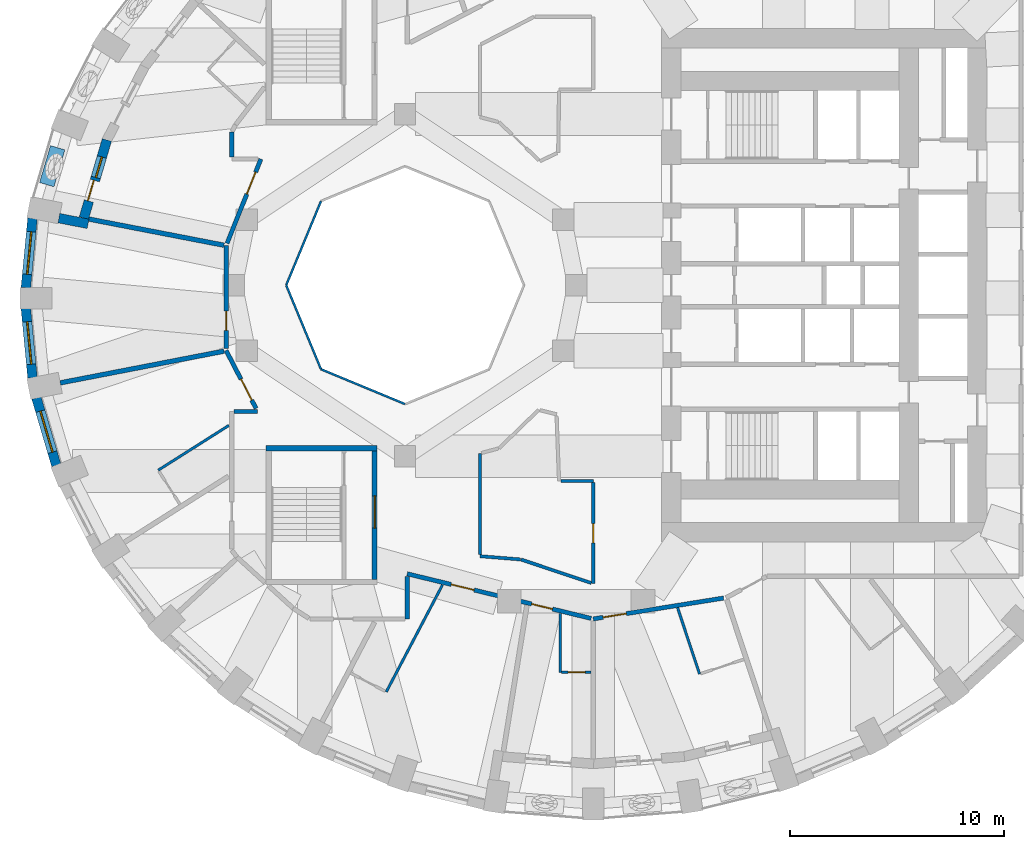
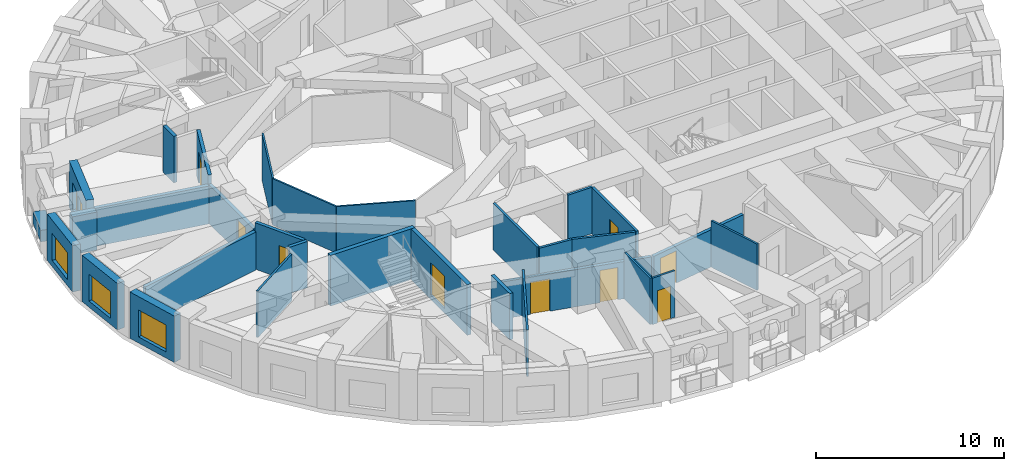
# One storey, part 4 of 13: 31 walls, 10 doors, 4 windows, 14 openings.
"""IFC4 building model written with IfcOpenShell, lengths in metres."""

from ifc_helpers import new_model, si_unit, direction, frame, frame_2d, origin, place, context, subcontext, project, spatial, rectangle, extrude, material, layer, layer_set, constituent, constituent_set, type_object, element, fill, save


model = new_model("IFC4")

# Units and contexts
model_context = context("Model", 3, precision=1e-05, world=origin(), true_north=direction((0.0, 1.0)))
body_context = subcontext(model_context, "Body", "Model", "MODEL_VIEW")
ifc_project = project(units=[si_unit("LENGTHUNIT", "METRE"), si_unit("AREAUNIT", "SQUARE_METRE"), si_unit("VOLUMEUNIT", "CUBIC_METRE"), si_unit("PLANEANGLEUNIT", "RADIAN"), si_unit("MASSUNIT", "GRAM", prefix="KILO")], contexts=[model_context])

# Site, building, storey
site_placement = place(None, origin())
site = spatial("IfcSite", under=ifc_project, at=site_placement, CompositionType="ELEMENT")
building_placement = place(site_placement, origin())
building = spatial("IfcBuilding", under=site, at=building_placement, Name="Taillehof Tower", CompositionType="ELEMENT")
storey_placement = place(building_placement, frame((0.0, 0.0, 112.0)))
storey = spatial("IfcBuildingStorey", under=building, at=storey_placement, Name="L31", CompositionType="ELEMENT", Elevation=112.0)

# Walls
ifc_material_1 = material(Name="Fire-resisting glass in steel frame", Category="steel")
ifc_layer_1 = layer(ifc_material_1, 0.10009765625)
ifc_layer_set_1 = layer_set([ifc_layer_1], Name="Atrium fire-resisting screen EI 60 100")
wall_type_1 = type_object("IfcWallType", Name="Atrium fire-resisting screen EI 60 100", PredefinedType="PARTITIONING", material=ifc_layer_set_1)
for number, where, z_axis, x_axis, name in (
    (1, (-8.0, -5.55419921875, 0.0), (0.0, 0.0, 1.0), (-0.923860025149, 0.382730523909, 0.0), "Atrium screen"),
    (2, (-11.92724609375, -3.92724609375, 0.0), (0.0, 0.0, 1.0), (-0.382730523909, 0.923860025149, 0.0), "Atrium screen"),
    (3, (-13.55419921875, 0.0, 0.0), (0.0, 0.0, 1.0), (0.382730523909, 0.923860025149, 0.0), "Atrium screen"),
):
    element("IfcWall", number, at=place(storey_placement, frame(where, z_axis=z_axis, x_axis=x_axis)), inside=storey, type_object=wall_type_1, Name=name, PredefinedType="PARTITIONING", context=body_context, shape_type="SweptSolid", body=[
        extrude(rectangle(XDim=4.2509765625, YDim=0.10009765625, at=frame_2d((2.12548828125, 0.0))), origin(), (0.0, 0.0, 1.0), 3.02001953125),
    ])

# Wall, opening, window
ifc_material_2 = material(Name="Brick masonry", Category="masonry")
ifc_layer_2 = layer(ifc_material_2, 0.449951171875)
ifc_layer_set_2 = layer_set([ifc_layer_2], Name="Brick infill wall 450")
wall_type_2 = type_object("IfcWallType", Name="Brick infill wall 450", PredefinedType="SOLIDWALL", material=ifc_layer_set_2)
wall_1_placement = place(storey_placement, frame((-25.414794921875, 3.12646484375, 0.0), z_axis=(0.0, 0.0, 1.0), x_axis=(-0.095967726544, -0.995384446062, 0.0)))
wall_1 = element("IfcWall", 4, at=wall_1_placement, inside=storey, type_object=wall_type_2, Name="Brick wall L31 bay 18", PredefinedType="SOLIDWALL", context=body_context, shape_type="SweptSolid", body=[
    extrude(rectangle(XDim=3.261474609375, YDim=0.449951171875, at=frame_2d((1.630859375, 0.0))), origin(), (0.0, 0.0, 1.0), 3.02001953125),
])
opening_1_placement = place(wall_1_placement, frame((0.630615234375, 0.0, 0.39990234375)))
opening_1 = element("IfcOpeningElement", 5, at=opening_1_placement, cuts=wall_1, Name="Opening W2", PredefinedType="OPENING", context=body_context, shape_type="SweptSolid", body=[
    extrude(rectangle(XDim=2.0, YDim=1.75, at=frame_2d((1.0, 0.875))), frame((0.0, 0.23486328125, 0.0), z_axis=(0.0, -1.0, 0.0), x_axis=(1.0, 0.0, 0.0)), (0.0, 0.0, 1.0), 0.469970703125),
])
ifc_material_3 = material(Name="Aluminium window frame with clear double glazing", Category="aluminium")
window_type_1 = type_object("IfcWindowType", Name="Deep-set window 2000x1750", PartitioningType="SINGLE_PANEL", PredefinedType="WINDOW", material=ifc_material_3)
window_1_placement = place(opening_1_placement, origin())
window_1 = element("IfcWindow", 6, at=window_1_placement, inside=storey, type_object=window_type_1, Name="W2", OverallHeight=1.75, OverallWidth=2.0, PartitioningType="SINGLE_PANEL", PredefinedType="WINDOW", context=body_context, shape_type="SweptSolid", body=[
    extrude(rectangle(XDim=2.0, YDim=1.75, at=frame_2d((1.0, 0.875))), frame((0.0, 0.034912109375, 0.0), z_axis=(0.0, -1.0, 0.0), x_axis=(1.0, 0.0, 0.0)), (0.0, 0.0, 1.0), 0.06005859375),
])
fill(opening_1, window_1)

wall_2_placement = place(storey_placement, frame((-25.727783203125, -1.080078125, 0.0), z_axis=(0.0, 0.0, 1.0), x_axis=(0.095967726544, -0.995384446062, 0.0)))
wall_2 = element("IfcWall", 7, at=wall_2_placement, inside=storey, type_object=wall_type_2, Name="Brick wall L31 bay 19", PredefinedType="SOLIDWALL", context=body_context, shape_type="SweptSolid", body=[
    extrude(rectangle(XDim=3.261474609375, YDim=0.449951171875, at=frame_2d((1.630859375, 0.0))), origin(), (0.0, 0.0, 1.0), 3.02001953125),
])
opening_2_placement = place(wall_2_placement, frame((0.630615234375, 0.0, 0.39990234375)))
opening_2 = element("IfcOpeningElement", 8, at=opening_2_placement, cuts=wall_2, Name="Opening W2", PredefinedType="OPENING", context=body_context, shape_type="SweptSolid", body=[
    extrude(rectangle(XDim=2.0, YDim=1.75, at=frame_2d((1.0, 0.875))), frame((0.0, 0.23486328125, 0.0), z_axis=(0.0, -1.0, 0.0), x_axis=(1.0, 0.0, 0.0)), (0.0, 0.0, 1.0), 0.469970703125),
])
window_2_placement = place(opening_2_placement, origin())
window_2 = element("IfcWindow", 9, at=window_2_placement, inside=storey, type_object=window_type_1, Name="W2", OverallHeight=1.75, OverallWidth=2.0, PartitioningType="SINGLE_PANEL", PredefinedType="WINDOW", context=body_context, shape_type="SweptSolid", body=[
    extrude(rectangle(XDim=2.0, YDim=1.75, at=frame_2d((1.0, 0.875))), frame((0.0, 0.034912109375, 0.0), z_axis=(0.0, -1.0, 0.0), x_axis=(1.0, 0.0, 0.0)), (0.0, 0.0, 1.0), 0.06005859375),
])
fill(opening_2, window_2)

wall_3_placement = place(storey_placement, frame((-25.232177734375, -5.26904296875, 0.0), z_axis=(0.0, 0.0, 1.0), x_axis=(0.283051078697, -0.959104836214, 0.0)))
wall_3 = element("IfcWall", 10, at=wall_3_placement, inside=storey, type_object=wall_type_2, Name="Brick wall L31 bay 20", PredefinedType="SOLIDWALL", context=body_context, shape_type="SweptSolid", body=[
    extrude(rectangle(XDim=3.2861328125, YDim=0.449951171875, at=frame_2d((1.64306640625, 0.0))), origin(), (0.0, 0.0, 1.0), 3.02001953125),
])
opening_3_placement = place(wall_3_placement, frame((0.64306640625, 0.0, 0.39990234375)))
opening_3 = element("IfcOpeningElement", 11, at=opening_3_placement, cuts=wall_3, Name="Opening W2", PredefinedType="OPENING", context=body_context, shape_type="SweptSolid", body=[
    extrude(rectangle(XDim=2.0, YDim=1.75, at=frame_2d((1.0, 0.875))), frame((0.0, 0.23486328125, 0.0), z_axis=(0.0, -1.0, 0.0), x_axis=(1.0, 0.0, 0.0)), (0.0, 0.0, 1.0), 0.469970703125),
])
window_3_placement = place(opening_3_placement, origin())
window_3 = element("IfcWindow", 12, at=window_3_placement, inside=storey, type_object=window_type_1, Name="W2", OverallHeight=1.75, OverallWidth=2.0, PartitioningType="SINGLE_PANEL", PredefinedType="WINDOW", context=body_context, shape_type="SweptSolid", body=[
    extrude(rectangle(XDim=2.0, YDim=1.75, at=frame_2d((1.0, 0.875))), frame((0.0, 0.034912109375, 0.0), z_axis=(0.0, -1.0, 0.0), x_axis=(1.0, 0.0, 0.0)), (0.0, 0.0, 1.0), 0.06005859375),
])
fill(opening_3, window_3)

# Wall
wall_4_placement = place(storey_placement, frame((-24.1826171875, 3.134765625, 0.0), z_axis=(0.0, 0.0, 1.0), x_axis=(0.981744955624, -0.190202108576, 0.0)))
element("IfcWall", 13, at=wall_4_placement, inside=storey, type_object=wall_type_2, Name="Brick reveal L31 pocket 4", PredefinedType="SOLIDWALL", context=body_context, shape_type="SweptSolid", body=[
    extrude(rectangle(XDim=1.39013671875, YDim=0.449951171875, at=frame_2d((0.695068359375, 0.0))), origin(), (0.0, 0.0, 1.0), 2.469970703125),
])

# Wall, openings, door, window
wall_5_placement = place(storey_placement, frame((-21.939453125, 6.790771484375, 0.0), z_axis=(0.0, 0.0, 1.0), x_axis=(-0.282350284167, -0.959311376473, 0.0)))
wall_5 = element("IfcWall", 14, at=wall_5_placement, inside=storey, type_object=wall_type_2, Name="Brick wall L31 pocket bay 17", PredefinedType="SOLIDWALL", context=body_context, shape_type="SweptSolid", body=[
    extrude(rectangle(XDim=3.80810546875, YDim=0.449951171875, at=frame_2d((1.904052734375, 0.0))), origin(), (0.0, 0.0, 1.0), 3.02001953125),
])
opening_4_placement = place(wall_5_placement, frame((0.8291015625, 0.0, 0.39990234375)))
opening_4 = element("IfcOpeningElement", 15, at=opening_4_placement, cuts=wall_5, Name="Opening W5", PredefinedType="OPENING", context=body_context, shape_type="SweptSolid", body=[
    extrude(rectangle(XDim=1.0, YDim=1.75, at=frame_2d((0.5, 0.875))), frame((0.0, 0.23486328125, 0.0), z_axis=(0.0, -1.0, 0.0), x_axis=(1.0, 0.0, 0.0)), (0.0, 0.0, 1.0), 0.469970703125),
])
opening_5_placement = place(wall_5_placement, frame((1.97900390625, 0.0, 0.0)))
opening_5 = element("IfcOpeningElement", 16, at=opening_5_placement, cuts=wall_5, Name="Opening D3193", PredefinedType="OPENING", context=body_context, shape_type="SweptSolid", body=[
    extrude(rectangle(XDim=1.0, YDim=2.14990234375, at=frame_2d((0.5, 1.074951171875))), frame((0.0, 0.23486328125, 0.0), z_axis=(0.0, -1.0, 0.0), x_axis=(1.0, 0.0, 0.0)), (0.0, 0.0, 1.0), 0.469970703125),
])
ifc_material_4 = material(Name="Aluminium door frame with clear double glazing", Category="aluminium")
door_type_1 = type_object("IfcDoorType", Name="Balcony door 1000x2150", OperationType="SINGLE_SWING_RIGHT", PredefinedType="DOOR", material=ifc_material_4)
door_1_placement = place(opening_5_placement, frame((1.0, 0.0, 0.0), z_axis=(0.0, 0.0, 1.0), x_axis=(-1.0, 0.0, 0.0)))
door_1 = element("IfcDoor", 17, at=door_1_placement, inside=storey, type_object=door_type_1, Name="Balcony door L31 bay 17", OperationType="SINGLE_SWING_LEFT", OverallHeight=2.14990234375, OverallWidth=1.0, PredefinedType="DOOR", context=body_context, shape_type="SweptSolid", body=[
    extrude(rectangle(XDim=1.0, YDim=2.14990234375, at=frame_2d((0.5, 1.074951171875))), frame((0.0, 0.0751953125, 0.0), z_axis=(0.0, -1.0, 0.0), x_axis=(1.0, 0.0, 0.0)), (0.0, 0.0, 1.0), 0.050048828125),
])
fill(opening_5, door_1)
ifc_material_5 = material(Name="Aluminium window frame with clear double glazing", Category="aluminium")
window_type_2 = type_object("IfcWindowType", Name="Fixed window 1000x1750", PartitioningType="SINGLE_PANEL", PredefinedType="WINDOW", material=ifc_material_5)
window_4_placement = place(opening_4_placement, origin())
window_4 = element("IfcWindow", 18, at=window_4_placement, inside=storey, type_object=window_type_2, Name="W5", OverallHeight=1.75, OverallWidth=1.0, PartitioningType="SINGLE_PANEL", PredefinedType="WINDOW", context=body_context, shape_type="SweptSolid", body=[
    extrude(rectangle(XDim=1.0, YDim=1.75, at=frame_2d((0.5, 0.875))), frame((0.0, 0.034912109375, 0.0), z_axis=(0.0, -1.0, 0.0), x_axis=(1.0, 0.0, 0.0)), (0.0, 0.0, 1.0), 0.06005859375),
])
fill(opening_4, window_4)

# Wall
ifc_material_6 = material(Name="Gypsum board on steel studs, two layers each side", Category="steel")
ifc_layer_3 = layer(ifc_material_6, 0.199951171875)
ifc_layer_set_3 = layer_set([ifc_layer_3], Name="Compartment wall corridor 200")
wall_type_3 = type_object("IfcWallType", Name="Compartment wall corridor 200", PredefinedType="PARTITIONING", material=ifc_layer_set_3)
wall_6_placement = place(storey_placement, frame((-16.0, -5.89990234375, 0.0), z_axis=(0.0, 0.0, 1.0), x_axis=(1.0, 0.0, 0.0)))
element("IfcWall", 19, at=wall_6_placement, inside=storey, type_object=wall_type_3, Name="Compartment wall", PredefinedType="PARTITIONING", context=body_context, shape_type="SweptSolid", body=[
    extrude(rectangle(XDim=1.1083984375, YDim=0.199951171875, at=frame_2d((0.55419921875, 0.0))), origin(), (0.0, 0.0, 1.0), 3.02001953125),
])

# Wall, opening, door
wall_7_placement = place(storey_placement, frame((-14.9658203125, -5.75732421875, 0.0), z_axis=(0.0, 0.0, 1.0), x_axis=(-0.458904116107, 0.888485797422, 0.0)))
wall_7 = element("IfcWall", 20, at=wall_7_placement, inside=storey, type_object=wall_type_3, Name="Compartment wall", PredefinedType="PARTITIONING", context=body_context, shape_type="SweptSolid", body=[
    extrude(rectangle(XDim=3.04736328125, YDim=0.199951171875, at=frame_2d((1.523681640625, 0.0))), origin(), (0.0, 0.0, 1.0), 3.02001953125),
])
opening_6_placement = place(wall_7_placement, frame((0.43505859375, 0.0, 0.0)))
opening_6 = element("IfcOpeningElement", 21, at=opening_6_placement, cuts=wall_7, Name="Opening D3152", PredefinedType="OPENING", context=body_context, shape_type="SweptSolid", body=[
    extrude(rectangle(XDim=1.10009765625, YDim=2.10009765625, at=frame_2d((0.550048828125, 1.050048828125))), frame((0.0, 0.10986328125, 0.0), z_axis=(0.0, -1.0, 0.0), x_axis=(1.0, 0.0, 0.0)), (0.0, 0.0, 1.0), 0.219970703125),
])
ifc_material_7 = material(Name="Timber door leaf in steel frame", Category="steel")
door_type_2 = type_object("IfcDoorType", Name="Suite entrance door EI 30 1100 x 2100", OperationType="SINGLE_SWING_LEFT", PredefinedType="DOOR", material=ifc_material_7)
door_2_placement = place(opening_6_placement, origin())
door_2 = element("IfcDoor", 22, at=door_2_placement, inside=storey, type_object=door_type_2, Name="D3152", OperationType="SINGLE_SWING_LEFT", OverallHeight=2.10009765625, OverallWidth=1.10009765625, PredefinedType="DOOR", context=body_context, shape_type="SweptSolid", body=[
    extrude(rectangle(XDim=1.10009765625, YDim=2.10009765625, at=frame_2d((0.550048828125, 1.050048828125))), frame((0.0, 0.02490234375, 0.0), z_axis=(0.0, -1.0, 0.0), x_axis=(1.0, 0.0, 0.0)), (0.0, 0.0, 1.0), 0.050048828125),
])
fill(opening_6, door_2)

wall_8_placement = place(storey_placement, frame((-16.3642578125, -2.94970703125, 0.0), z_axis=(0.0, 0.0, 1.0), x_axis=(0.0, 1.0, 0.0)))
wall_8 = element("IfcWall", 23, at=wall_8_placement, inside=storey, type_object=wall_type_3, Name="Compartment wall", PredefinedType="PARTITIONING", context=body_context, shape_type="SweptSolid", body=[
    extrude(rectangle(XDim=4.79931640625, YDim=0.199951171875, at=frame_2d((2.399658203125, 0.0))), origin(), (0.0, 0.0, 1.0), 2.52001953125),
])
opening_7_placement = place(wall_8_placement, frame((0.8349609375, 0.0, 0.0)))
opening_7 = element("IfcOpeningElement", 24, at=opening_7_placement, cuts=wall_8, Name="Opening D3151", PredefinedType="OPENING", context=body_context, shape_type="SweptSolid", body=[
    extrude(rectangle(XDim=0.89990234375, YDim=2.10009765625, at=frame_2d((0.449951171875, 1.050048828125))), frame((0.0, 0.10986328125, 0.0), z_axis=(0.0, -1.0, 0.0), x_axis=(1.0, 0.0, 0.0)), (0.0, 0.0, 1.0), 0.219970703125),
])
ifc_material_8 = material(Name="Timber door leaf in steel frame", Category="steel")
door_type_3 = type_object("IfcDoorType", Name="Service room door EI 30 900 x 2100", OperationType="SINGLE_SWING_LEFT", PredefinedType="DOOR", material=ifc_material_8)
door_3_placement = place(opening_7_placement, origin())
door_3 = element("IfcDoor", 25, at=door_3_placement, inside=storey, type_object=door_type_3, Name="D3151", OperationType="SINGLE_SWING_LEFT", OverallHeight=2.10009765625, OverallWidth=0.89990234375, PredefinedType="DOOR", context=body_context, shape_type="SweptSolid", body=[
    extrude(rectangle(XDim=0.89990234375, YDim=2.10009765625, at=frame_2d((0.449951171875, 1.050048828125))), frame((0.0, 0.02490234375, 0.0), z_axis=(0.0, -1.0, 0.0), x_axis=(1.0, 0.0, 0.0)), (0.0, 0.0, 1.0), 0.050048828125),
])
fill(opening_7, door_3)

wall_9_placement = place(storey_placement, frame((-16.31884765625, 1.9609375, 0.0), z_axis=(0.0, 0.0, 1.0), x_axis=(0.372352515432, 0.928091377102, 0.0)))
wall_9 = element("IfcWall", 26, at=wall_9_placement, inside=storey, type_object=wall_type_3, Name="Compartment wall", PredefinedType="PARTITIONING", context=body_context, shape_type="SweptSolid", body=[
    extrude(rectangle(XDim=4.244140625, YDim=0.199951171875, at=frame_2d((2.1220703125, 0.0))), origin(), (0.0, 0.0, 1.0), 3.02001953125),
])
opening_8_placement = place(wall_9_placement, frame((2.480712890625, 0.0, 0.0)))
opening_8 = element("IfcOpeningElement", 27, at=opening_8_placement, cuts=wall_9, Name="Opening D3149", PredefinedType="OPENING", context=body_context, shape_type="SweptSolid", body=[
    extrude(rectangle(XDim=1.10009765625, YDim=2.10009765625, at=frame_2d((0.550048828125, 1.050048828125))), frame((0.0, 0.10986328125, 0.0), z_axis=(0.0, -1.0, 0.0), x_axis=(1.0, 0.0, 0.0)), (0.0, 0.0, 1.0), 0.219970703125),
])
door_4_placement = place(opening_8_placement, origin())
door_4 = element("IfcDoor", 28, at=door_4_placement, inside=storey, type_object=door_type_2, Name="D3149", OperationType="SINGLE_SWING_RIGHT", OverallHeight=2.10009765625, OverallWidth=1.10009765625, PredefinedType="DOOR", context=body_context, shape_type="SweptSolid", body=[
    extrude(rectangle(XDim=1.10009765625, YDim=2.10009765625, at=frame_2d((0.550048828125, 1.050048828125))), frame((0.0, 0.02490234375, 0.0), z_axis=(0.0, -1.0, 0.0), x_axis=(1.0, 0.0, 0.0)), (0.0, 0.0, 1.0), 0.050048828125),
])
fill(opening_8, door_4)

# Wall
wall_10_placement = place(storey_placement, frame((-16.10009765625, 6.0, 0.0), z_axis=(0.0, 0.0, 1.0), x_axis=(0.0, 1.0, 0.0)))
element("IfcWall", 29, at=wall_10_placement, inside=storey, type_object=wall_type_3, Name="Compartment wall", PredefinedType="PARTITIONING", context=body_context, shape_type="SweptSolid", body=[
    extrude(rectangle(XDim=1.159912109375, YDim=0.199951171875, at=frame_2d((0.580078125, 0.0))), origin(), (0.0, 0.0, 1.0), 3.02001953125),
])

# Wall, opening, door
wall_11_placement = place(storey_placement, frame((6.890625, -14.624755859375, 0.0), z_axis=(0.0, 0.0, 1.0), x_axis=(-0.987419134366, -0.158124802253, 0.0)))
wall_11 = element("IfcWall", 30, at=wall_11_placement, inside=storey, type_object=wall_type_3, Name="Compartment wall", PredefinedType="PARTITIONING", context=body_context, shape_type="SweptSolid", body=[
    extrude(rectangle(XDim=6.168212890625, YDim=0.199951171875, at=frame_2d((3.083984375, 0.0))), origin(), (0.0, 0.0, 1.0), 2.419921875),
])
opening_9_placement = place(wall_11_placement, frame((4.60400390625, 0.0, 0.0)))
opening_9 = element("IfcOpeningElement", 31, at=opening_9_placement, cuts=wall_11, Name="Opening D3160", PredefinedType="OPENING", context=body_context, shape_type="SweptSolid", body=[
    extrude(rectangle(XDim=1.10009765625, YDim=2.10009765625, at=frame_2d((0.550048828125, 1.050048828125))), frame((0.0, 0.10986328125, 0.0), z_axis=(0.0, -1.0, 0.0), x_axis=(1.0, 0.0, 0.0)), (0.0, 0.0, 1.0), 0.219970703125),
])
ifc_material_9 = material(Name="Timber door leaf in steel frame", Category="steel")
door_type_4 = type_object("IfcDoorType", Name="Accessible guest room door EI 30 1100 x 2100", OperationType="SINGLE_SWING_LEFT", PredefinedType="DOOR", material=ifc_material_9)
door_5_placement = place(opening_9_placement, origin())
door_5 = element("IfcDoor", 32, at=door_5_placement, inside=storey, type_object=door_type_4, Name="D3160", OperationType="SINGLE_SWING_RIGHT", OverallHeight=2.10009765625, OverallWidth=1.10009765625, PredefinedType="DOOR", context=body_context, shape_type="SweptSolid", body=[
    extrude(rectangle(XDim=1.10009765625, YDim=2.10009765625, at=frame_2d((0.550048828125, 1.050048828125))), frame((0.0, 0.02490234375, 0.0), z_axis=(0.0, -1.0, 0.0), x_axis=(1.0, 0.0, 0.0)), (0.0, 0.0, 1.0), 0.050048828125),
])
fill(opening_9, door_5)

# Wall, openings, doors
wall_12_placement = place(storey_placement, frame((0.702392578125, -15.576904296875, 0.0), z_axis=(0.0, 0.0, 1.0), x_axis=(-0.971804733873, 0.235787105715, 0.0)))
wall_12 = element("IfcWall", 33, at=wall_12_placement, inside=storey, type_object=wall_type_3, Name="Compartment wall", PredefinedType="PARTITIONING", context=body_context, shape_type="SweptSolid", body=[
    extrude(rectangle(XDim=8.851806640625, YDim=0.199951171875, at=frame_2d((4.42578125, 0.0))), origin(), (0.0, 0.0, 1.0), 2.419921875),
])
opening_10_placement = place(wall_12_placement, frame((5.631103515625, 0.0, 0.0)))
opening_10 = element("IfcOpeningElement", 34, at=opening_10_placement, cuts=wall_12, Name="Opening D3156", PredefinedType="OPENING", context=body_context, shape_type="SweptSolid", body=[
    extrude(rectangle(XDim=1.10009765625, YDim=2.10009765625, at=frame_2d((0.550048828125, 1.050048828125))), frame((0.0, 0.10986328125, 0.0), z_axis=(0.0, -1.0, 0.0), x_axis=(1.0, 0.0, 0.0)), (0.0, 0.0, 1.0), 0.219970703125),
])
opening_11_placement = place(wall_12_placement, frame((1.86328125, 0.0, 0.0)))
opening_11 = element("IfcOpeningElement", 35, at=opening_11_placement, cuts=wall_12, Name="Opening D3158", PredefinedType="OPENING", context=body_context, shape_type="SweptSolid", body=[
    extrude(rectangle(XDim=1.0, YDim=2.10009765625, at=frame_2d((0.5, 1.050048828125))), frame((0.0, 0.10986328125, 0.0), z_axis=(0.0, -1.0, 0.0), x_axis=(1.0, 0.0, 0.0)), (0.0, 0.0, 1.0), 0.219970703125),
])
ifc_material_10 = material(Name="Timber door leaf in steel frame", Category="steel")
door_type_5 = type_object("IfcDoorType", Name="Guest room door EI 30 1000 x 2100", OperationType="SINGLE_SWING_LEFT", PredefinedType="DOOR", material=ifc_material_10)
door_6_placement = place(opening_11_placement, origin())
door_6 = element("IfcDoor", 36, at=door_6_placement, inside=storey, type_object=door_type_5, Name="D3158", OperationType="SINGLE_SWING_RIGHT", OverallHeight=2.10009765625, OverallWidth=1.0, PredefinedType="DOOR", context=body_context, shape_type="SweptSolid", body=[
    extrude(rectangle(XDim=1.0, YDim=2.10009765625, at=frame_2d((0.5, 1.050048828125))), frame((0.0, 0.02490234375, 0.0), z_axis=(0.0, -1.0, 0.0), x_axis=(1.0, 0.0, 0.0)), (0.0, 0.0, 1.0), 0.050048828125),
])
fill(opening_11, door_6)
door_7_placement = place(opening_10_placement, origin())
door_7 = element("IfcDoor", 37, at=door_7_placement, inside=storey, type_object=door_type_2, Name="D3156", OperationType="SINGLE_SWING_RIGHT", OverallHeight=2.10009765625, OverallWidth=1.10009765625, PredefinedType="DOOR", context=body_context, shape_type="SweptSolid", body=[
    extrude(rectangle(XDim=1.10009765625, YDim=2.10009765625, at=frame_2d((0.550048828125, 1.050048828125))), frame((0.0, 0.02490234375, 0.0), z_axis=(0.0, -1.0, 0.0), x_axis=(1.0, 0.0, 0.0)), (0.0, 0.0, 1.0), 0.050048828125),
])
fill(opening_10, door_7)

# Walls
wall_13_placement = place(storey_placement, frame((-7.89990234375, -13.60986328125, 0.0), z_axis=(0.0, 0.0, 1.0), x_axis=(0.0, -1.0, 0.0)))
element("IfcWall", 38, at=wall_13_placement, inside=storey, type_object=wall_type_3, Name="Compartment wall", PredefinedType="PARTITIONING", context=body_context, shape_type="SweptSolid", body=[
    extrude(rectangle(XDim=1.990234375, YDim=0.199951171875, at=frame_2d((0.9951171875, 0.0))), origin(), (0.0, 0.0, 1.0), 3.02001953125),
])
ifc_material_11 = material(Name="Gypsum board on double steel studs with mineral wool", Category="steel")
ifc_layer_4 = layer(ifc_material_11, 0.219970703125)
ifc_layer_set_4 = layer_set([ifc_layer_4], Name="Compartment wall guest room 220")
wall_type_4 = type_object("IfcWallType", Name="Compartment wall guest room 220", PredefinedType="PARTITIONING", material=ifc_layer_set_4)
wall_14_placement = place(storey_placement, frame((-22.792724609375, 3.0947265625, 0.0), z_axis=(0.0, 0.0, 1.0), x_axis=(0.981772102901, -0.190061931918, 0.0)))
element("IfcWall", 39, at=wall_14_placement, inside=storey, type_object=wall_type_4, Name="Compartment wall", PredefinedType="PARTITIONING", context=body_context, shape_type="SweptSolid", body=[
    extrude(rectangle(XDim=6.4482421875, YDim=0.219970703125, at=frame_2d((3.22412109375, 0.0))), origin(), (0.0, 0.0, 1.0), 2.469970703125),
])
wall_15_placement = place(storey_placement, frame((-24.117919921875, -4.564208984375, 0.0), z_axis=(0.0, 0.0, 1.0), x_axis=(0.981765151757, 0.190097834799, 0.0)))
element("IfcWall", 40, at=wall_15_placement, inside=storey, type_object=wall_type_4, Name="Compartment wall", PredefinedType="PARTITIONING", context=body_context, shape_type="SweptSolid", body=[
    extrude(rectangle(XDim=7.798095703125, YDim=0.219970703125, at=frame_2d((3.89892578125, 0.0))), origin(), (0.0, 0.0, 1.0), 2.469970703125),
])
ifc_material_12 = material(Name="Gypsum board on steel studs, two layers each side", Category="steel")
ifc_layer_5 = layer(ifc_material_12, 0.14990234375)
ifc_layer_set_5 = layer_set([ifc_layer_5], Name="Compartment wall service room 150")
wall_type_5 = type_object("IfcWallType", Name="Compartment wall service room 150", PredefinedType="PARTITIONING", material=ifc_layer_set_5)
wall_16_placement = place(storey_placement, frame((-0.719970703125, -9.14990234375, 0.0), z_axis=(0.0, 0.0, 1.0), x_axis=(1.0, 0.0, 0.0)))
element("IfcWall", 41, at=wall_16_placement, inside=storey, type_object=wall_type_5, Name="Compartment wall", PredefinedType="PARTITIONING", context=body_context, shape_type="SweptSolid", body=[
    extrude(rectangle(XDim=1.52001953125, YDim=0.14990234375, at=frame_2d((0.760009765625, 0.0))), origin(), (0.0, 0.0, 1.0), 3.02001953125),
])

# Wall, opening, door
wall_17_placement = place(storey_placement, frame((0.800048828125, -9.22998046875, 0.0), z_axis=(0.0, 0.0, 1.0), x_axis=(0.0, -1.0, 0.0)))
wall_17 = element("IfcWall", 42, at=wall_17_placement, inside=storey, type_object=wall_type_5, Name="Compartment wall", PredefinedType="PARTITIONING", context=body_context, shape_type="SweptSolid", body=[
    extrude(rectangle(XDim=4.7236328125, YDim=0.14990234375, at=frame_2d((2.36181640625, 0.0))), origin(), (0.0, 0.0, 1.0), 3.02001953125),
])
opening_12_placement = place(wall_17_placement, frame((1.911865234375, 0.0, 0.0)))
opening_12 = element("IfcOpeningElement", 43, at=opening_12_placement, cuts=wall_17, Name="Opening D3169", PredefinedType="OPENING", context=body_context, shape_type="SweptSolid", body=[
    extrude(rectangle(XDim=0.89990234375, YDim=2.10009765625, at=frame_2d((0.449951171875, 1.050048828125))), frame((0.0, 0.0849609375, 0.0), z_axis=(0.0, -1.0, 0.0), x_axis=(1.0, 0.0, 0.0)), (0.0, 0.0, 1.0), 0.169921875),
])
door_8_placement = place(opening_12_placement, origin())
door_8 = element("IfcDoor", 44, at=door_8_placement, inside=storey, type_object=door_type_3, Name="D3169", OperationType="SINGLE_SWING_LEFT", OverallHeight=2.10009765625, OverallWidth=0.89990234375, PredefinedType="DOOR", context=body_context, shape_type="SweptSolid", body=[
    extrude(rectangle(XDim=0.89990234375, YDim=2.10009765625, at=frame_2d((0.449951171875, 1.050048828125))), frame((0.0, 0.02490234375, 0.0), z_axis=(0.0, -1.0, 0.0), x_axis=(1.0, 0.0, 0.0)), (0.0, 0.0, 1.0), 0.050048828125),
])
fill(opening_12, door_8)

# Walls
wall_18_placement = place(storey_placement, frame((0.704833984375, -13.921875, 0.0), z_axis=(0.0, 0.0, 1.0), x_axis=(-0.948131483463, 0.317878420258, 0.0)))
element("IfcWall", 45, at=wall_18_placement, inside=storey, type_object=wall_type_5, Name="Compartment wall", PredefinedType="PARTITIONING", context=body_context, shape_type="SweptSolid", body=[
    extrude(rectangle(XDim=3.4599609375, YDim=0.14990234375, at=frame_2d((1.72998046875, 0.0))), origin(), (0.0, 0.0, 1.0), 3.02001953125),
])
wall_19_placement = place(storey_placement, frame((-2.595703125, -12.8203125, 0.0), z_axis=(0.0, 0.0, 1.0), x_axis=(-0.996815278536, 0.079745222283, 0.0)))
element("IfcWall", 46, at=wall_19_placement, inside=storey, type_object=wall_type_5, Name="Compartment wall", PredefinedType="PARTITIONING", context=body_context, shape_type="SweptSolid", body=[
    extrude(rectangle(XDim=1.910400390625, YDim=0.14990234375, at=frame_2d((0.955078125, 0.0))), origin(), (0.0, 0.0, 1.0), 3.02001953125),
])
wall_20_placement = place(storey_placement, frame((-4.5, -12.587890625, 0.0), z_axis=(0.0, 0.0, 1.0), x_axis=(0.0, 1.0, 0.0)))
element("IfcWall", 47, at=wall_20_placement, inside=storey, type_object=wall_type_5, Name="Compartment wall", PredefinedType="PARTITIONING", context=body_context, shape_type="SweptSolid", body=[
    extrude(rectangle(XDim=4.725830078125, YDim=0.14990234375, at=frame_2d((2.36279296875, 0.0))), origin(), (0.0, 0.0, 1.0), 3.02001953125),
])
ifc_material_13 = material(Name="Gypsum board on steel studs, moisture resistant", Category="steel")
ifc_layer_6 = layer(ifc_material_13, 0.1201171875)
ifc_layer_set_6 = layer_set([ifc_layer_6], Name="En-suite wall 120")
wall_type_6 = type_object("IfcWallType", Name="En-suite wall 120", PredefinedType="PARTITIONING", material=ifc_layer_set_6)
wall_21_placement = place(storey_placement, frame((-16.23388671875, -6.552490234375, 0.0), z_axis=(0.0, 0.0, 1.0), x_axis=(-0.844514089089, -0.535533335406, 0.0)))
element("IfcWall", 48, at=wall_21_placement, inside=storey, type_object=wall_type_6, Name="En-suite wall", PredefinedType="PARTITIONING", context=body_context, shape_type="SweptSolid", body=[
    extrude(rectangle(XDim=3.90966796875, YDim=0.1201171875, at=frame_2d((1.954833984375, 0.0))), origin(), (0.0, 0.0, 1.0), 3.02001953125),
])
wall_22_placement = place(storey_placement, frame((-6.25, -14.012939453125, 0.0), z_axis=(0.0, 0.0, 1.0), x_axis=(-0.465288210927, -0.885159240347, 0.0)))
element("IfcWall", 49, at=wall_22_placement, inside=storey, type_object=wall_type_6, Name="En-suite wall", PredefinedType="PARTITIONING", context=body_context, shape_type="SweptSolid", body=[
    extrude(rectangle(XDim=5.644287109375, YDim=0.1201171875, at=frame_2d((2.822265625, 0.0))), origin(), (0.0, 0.0, 1.0), 3.02001953125),
])
wall_23_placement = place(storey_placement, frame((-0.75, -15.346923828125, 0.0), z_axis=(0.0, 0.0, 1.0), x_axis=(0.0, -1.0, 0.0)))
element("IfcWall", 50, at=wall_23_placement, inside=storey, type_object=wall_type_6, Name="En-suite wall", PredefinedType="PARTITIONING", context=body_context, shape_type="SweptSolid", body=[
    extrude(rectangle(XDim=2.753173828125, YDim=0.1201171875, at=frame_2d((1.37646484375, 0.0))), origin(), (0.0, 0.0, 1.0), 3.02001953125),
])
wall_24_placement = place(storey_placement, frame((4.740478515625, -15.0703125, 0.0), z_axis=(0.0, 0.0, 1.0), x_axis=(0.314526308998, -0.949248756095, 0.0)))
element("IfcWall", 51, at=wall_24_placement, inside=storey, type_object=wall_type_6, Name="En-suite wall", PredefinedType="PARTITIONING", context=body_context, shape_type="SweptSolid", body=[
    extrude(rectangle(XDim=3.2724609375, YDim=0.1201171875, at=frame_2d((1.63623046875, 0.0))), origin(), (0.0, 0.0, 1.0), 3.02001953125),
])

# Wall, opening, door
wall_25_placement = place(storey_placement, frame((-0.68994140625, -18.10009765625, 0.0), z_axis=(0.0, 0.0, 1.0), x_axis=(1.0, 0.0, 0.0)))
wall_25 = element("IfcWall", 52, at=wall_25_placement, inside=storey, type_object=wall_type_6, Name="En-suite wall", PredefinedType="PARTITIONING", context=body_context, shape_type="SweptSolid", body=[
    extrude(rectangle(XDim=1.3798828125, YDim=0.1201171875, at=frame_2d((0.68994140625, 0.0))), origin(), (0.0, 0.0, 1.0), 3.02001953125),
])
opening_13_placement = place(wall_25_placement, frame((0.31494140625, 0.0, 0.0)))
opening_13 = element("IfcOpeningElement", 53, at=opening_13_placement, cuts=wall_25, Name="Opening D3159", PredefinedType="OPENING", context=body_context, shape_type="SweptSolid", body=[
    extrude(rectangle(XDim=0.800048828125, YDim=2.10009765625, at=frame_2d((0.39990234375, 1.050048828125))), frame((0.0, 0.070068359375, 0.0), z_axis=(0.0, -1.0, 0.0), x_axis=(1.0, 0.0, 0.0)), (0.0, 0.0, 1.0), 0.14013671875),
])
ifc_material_14 = material(Name="Timber door leaf in steel frame", Category="steel")
door_type_6 = type_object("IfcDoorType", Name="En-suite door 800 x 2100", OperationType="SINGLE_SWING_LEFT", PredefinedType="DOOR", material=ifc_material_14)
door_9_placement = place(opening_13_placement, origin())
door_9 = element("IfcDoor", 54, at=door_9_placement, inside=storey, type_object=door_type_6, Name="D3159", OperationType="SINGLE_SWING_LEFT", OverallHeight=2.10009765625, OverallWidth=0.800048828125, PredefinedType="DOOR", context=body_context, shape_type="SweptSolid", body=[
    extrude(rectangle(XDim=0.800048828125, YDim=2.10009765625, at=frame_2d((0.39990234375, 1.050048828125))), frame((0.0, 0.02490234375, 0.0), z_axis=(0.0, -1.0, 0.0), x_axis=(1.0, 0.0, 0.0)), (0.0, 0.0, 1.0), 0.050048828125),
])
fill(opening_13, door_9)

# Wall
ifc_material_15 = material(Name="Concrete C30/37 precast", Category="concrete")
ifc_constituent_1 = constituent(ifc_material_15, Name="Structure", Category="concrete")
ifc_material_16 = material(Name="Insulated lining")
ifc_constituent_2 = constituent(ifc_material_16, Name="Lining")
ifc_constituent_set = constituent_set(constituents=[ifc_constituent_1, ifc_constituent_2], Name="Planter trough 700x750")
wall_type_7 = type_object("IfcWallType", Name="Planter trough 700x750", PredefinedType="USERDEFINED", material=ifc_constituent_set)
wall_26_placement = place(storey_placement, frame((-24.239013671875, 6.42724609375, 0.0), z_axis=(0.0, 0.0, 1.0), x_axis=(-0.283076786659, -0.959097248904, 0.0)))
element("IfcWall", 55, at=wall_26_placement, inside=storey, type_object=wall_type_7, Name="Planter L31 bay 17", ObjectType="PLANTER", PredefinedType="USERDEFINED", context=body_context, shape_type="SweptSolid", body=[
    extrude(rectangle(XDim=1.800048828125, YDim=0.699951171875, at=frame_2d((0.89990234375, 0.0))), origin(), (0.0, 0.0, 1.0), 0.75),
])

# Wall, opening, door
ifc_material_17 = material(Name="Concrete C50/60", Category="concrete")
ifc_layer_7 = layer(ifc_material_17, 0.25)
ifc_layer_set_7 = layer_set([ifc_layer_7], Name="Stair wall C50/60 250")
wall_type_8 = type_object("IfcWallType", Name="Stair wall C50/60 250", PredefinedType="SHEAR", material=ifc_layer_set_7)
wall_27_placement = place(storey_placement, frame((-9.425048828125, -13.75, -0.280029296875), z_axis=(0.0, 0.0, 1.0), x_axis=(0.0, 1.0, 0.0)))
wall_27 = element("IfcWall", 56, at=wall_27_placement, inside=storey, type_object=wall_type_8, Name="Stair wall SC", PredefinedType="SHEAR", context=body_context, shape_type="SweptSolid", body=[
    extrude(rectangle(XDim=6.0, YDim=0.25, at=frame_2d((3.0, 0.0))), origin(), (0.0, 0.0, 1.0), 3.300048828125),
])
opening_14_placement = place(wall_27_placement, frame((2.39990234375, 0.0, 0.280029296875)))
opening_14 = element("IfcOpeningElement", 57, at=opening_14_placement, cuts=wall_27, Name="Opening D3120", PredefinedType="OPENING", context=body_context, shape_type="SweptSolid", body=[
    extrude(rectangle(XDim=1.5, YDim=2.10009765625, at=frame_2d((0.75, 1.050048828125))), frame((0.0, 0.135009765625, 0.0), z_axis=(0.0, -1.0, 0.0), x_axis=(1.0, 0.0, 0.0)), (0.0, 0.0, 1.0), 0.27001953125),
])
ifc_material_18 = material(Name="Steel-faced fire door", Category="steel")
door_type_7 = type_object("IfcDoorType", Name="Stair door 1500x2100", OperationType="DOUBLE_DOOR_SINGLE_SWING", PredefinedType="DOOR", material=ifc_material_18)
door_10_placement = place(opening_14_placement, origin())
door_10 = element("IfcDoor", 58, at=door_10_placement, inside=storey, type_object=door_type_7, Name="Stair door S4", OperationType="DOUBLE_DOOR_SINGLE_SWING", OverallHeight=2.10009765625, OverallWidth=1.5, PredefinedType="DOOR", context=body_context, shape_type="SweptSolid", body=[
    extrude(rectangle(XDim=1.5, YDim=2.10009765625, at=frame_2d((0.75, 1.050048828125))), frame((0.0, 0.02490234375, 0.0), z_axis=(0.0, -1.0, 0.0), x_axis=(1.0, 0.0, 0.0)), (0.0, 0.0, 1.0), 0.050048828125),
])
fill(opening_14, door_10)

# Wall
wall_28_placement = place(storey_placement, frame((-14.5, -7.625, -0.280029296875), z_axis=(0.0, 0.0, 1.0), x_axis=(1.0, 0.0, 0.0)))
element("IfcWall", 59, at=wall_28_placement, inside=storey, type_object=wall_type_8, Name="Stair wall SC", PredefinedType="SHEAR", context=body_context, shape_type="SweptSolid", body=[
    extrude(rectangle(XDim=5.199951171875, YDim=0.25, at=frame_2d((2.60009765625, 0.0))), origin(), (0.0, 0.0, 1.0), 3.300048828125),
])

save(model, "model.ifc")
